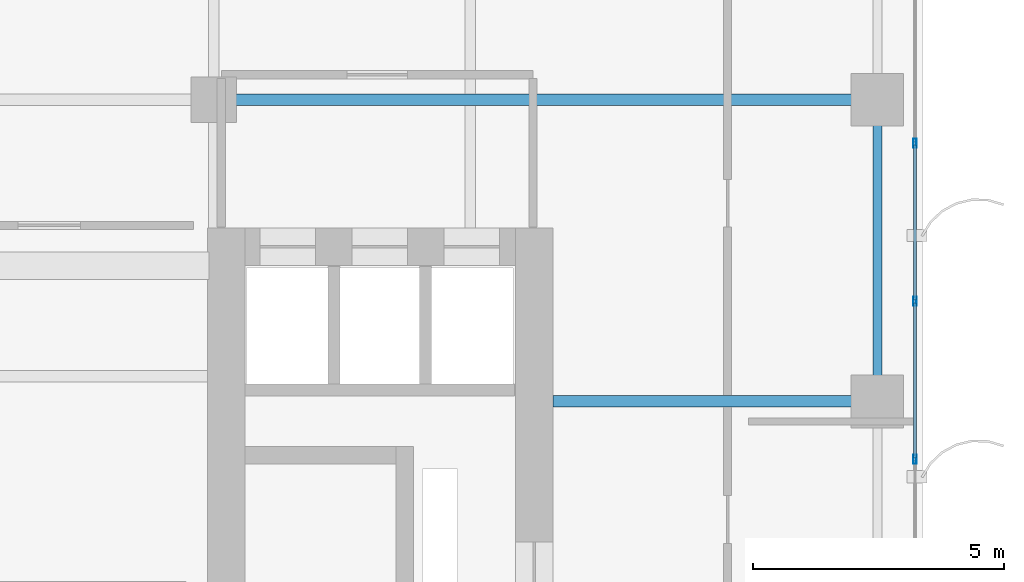
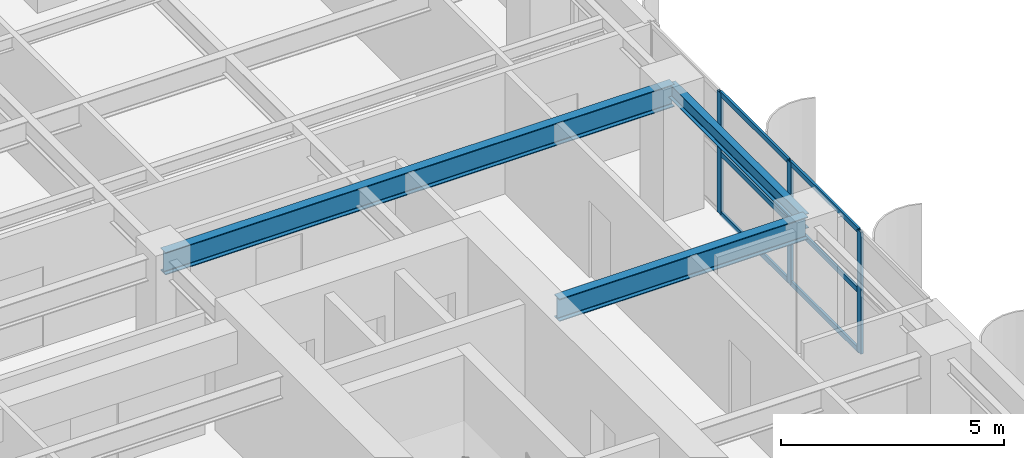
# One storey, part 7 of 25: 9 members, 3 beams, 1 element without a shape of its own.
"""IFC4 building model written with IfcOpenShell, lengths in metres."""

from ifc_helpers import new_model, si_unit, direction, frame, origin, origin_2d, place, context, subcontext, project, spatial, hollow_rectangle, i_section, extrude, source, transform, mapped, material, layer, layer_set, material_profile, profile_set, type_object, element, aggregate, save


model = new_model("IFC4")

# Units and contexts
model_context = context("Model", 3, precision=1e-05, world=origin(), true_north=direction((0.0, 1.0)))
body_context = subcontext(model_context, "Body", "Model", "MODEL_VIEW")
ifc_project = project(units=[si_unit("LENGTHUNIT", "METRE"), si_unit("AREAUNIT", "SQUARE_METRE"), si_unit("VOLUMEUNIT", "CUBIC_METRE"), si_unit("PLANEANGLEUNIT", "RADIAN"), si_unit("MASSUNIT", "GRAM", prefix="KILO")], contexts=[model_context])

# Site, building, storey
site_placement = place(None, origin())
site = spatial("IfcSite", under=ifc_project, at=site_placement, CompositionType="ELEMENT")
building_placement = place(site_placement, origin())
building = spatial("IfcBuilding", under=site, at=building_placement, Name="Khoralis Quay Care Tower", CompositionType="ELEMENT")
storey_placement = place(building_placement, frame((0.0, 0.0, 134.10009765625)))
storey = spatial("IfcBuildingStorey", under=building, at=storey_placement, Name="L35", CompositionType="ELEMENT", Elevation=134.10009765625)

# Beams
ifc_material_1 = material(Name="Steel S355", Category="steel")
ifc_material_profile_1 = material_profile(ifc_material_1, i_section(OverallWidth=0.179931640625, OverallDepth=0.39990234375, WebThickness=0.008544921875, FlangeThickness=0.013427734375, FilletRadius=0.02099609375, at=origin_2d()), Name="Steel S355")
ifc_profile_set_1 = profile_set([ifc_material_profile_1], Name="Steel S355")
beam_type_1 = type_object("IfcBeamType", Name="BM-IPE400", PredefinedType="SPANDREL", material=ifc_profile_set_1)
shared_shape_1 = source(origin(), body_context, "Body", "SweptSolid", [
    extrude(i_section(OverallWidth=0.179931640625, OverallDepth=0.39990234375, WebThickness=0.008544921875, FlangeThickness=0.013427734375, FilletRadius=0.02099609375, at=origin_2d()), origin(), (0.0, 0.0, 1.0), 6.0),
])
beam_1_placement = place(storey_placement, frame((44.10009765625, 24.0, 3.139892578125), z_axis=(0.0, 1.0, 0.0), x_axis=(-1.0, 0.0, 0.0)))
element("IfcBeam", 1, at=beam_1_placement, inside=storey, type_object=beam_type_1, Name="BM-TSP-L35-19", PredefinedType="SPANDREL", context=body_context, shape_type="MappedRepresentation", body=[
    mapped(shared_shape_1, transform((0.0, 0.0, 0.0), scale=1.0)),
])
ifc_material_profile_2 = material_profile(ifc_material_1, i_section(OverallWidth=0.22998046875, OverallDepth=0.616943359375, WebThickness=0.01318359375, FlangeThickness=0.022216796875, FilletRadius=0.01806640625, at=origin_2d()), Name="Steel S355")
ifc_profile_set_2 = profile_set([ifc_material_profile_2], Name="Steel S355")
beam_type_2 = type_object("IfcBeamType", Name="BM-W610X140", PredefinedType="BEAM", material=ifc_profile_set_2)
shared_shape_2 = source(origin(), body_context, "Body", "SweptSolid", [
    extrude(i_section(OverallWidth=0.22998046875, OverallDepth=0.616943359375, WebThickness=0.01318359375, FlangeThickness=0.022216796875, FilletRadius=0.01806640625, at=origin_2d()), origin(), (0.0, 0.0, 1.0), 13.2001953125),
])
beam_2_placement = place(storey_placement, frame((30.89990234375, 30.0, 3.031494140625), z_axis=(1.0, 0.0, 0.0), x_axis=(0.0, 1.0, 0.0)))
element("IfcBeam", 2, at=beam_2_placement, inside=storey, type_object=beam_type_2, Name="BM-TGXE-L35-300", PredefinedType="BEAM", context=body_context, shape_type="MappedRepresentation", body=[
    mapped(shared_shape_2, transform((0.0, 0.0, 0.0), scale=1.0)),
])
shared_shape_3 = source(origin(), body_context, "Body", "SweptSolid", [
    extrude(i_section(OverallWidth=0.22998046875, OverallDepth=0.616943359375, WebThickness=0.01318359375, FlangeThickness=0.022216796875, FilletRadius=0.01806640625, at=origin_2d()), origin(), (0.0, 0.0, 1.0), 6.4521484375),
])
beam_3_placement = place(storey_placement, frame((37.64794921875, 24.0, 3.031494140625), z_axis=(1.0, 0.0, 0.0), x_axis=(0.0, 1.0, 0.0)))
element("IfcBeam", 3, at=beam_3_placement, inside=storey, type_object=beam_type_2, Name="BM-TGXE-L35-240", PredefinedType="BEAM", context=body_context, shape_type="MappedRepresentation", body=[
    mapped(shared_shape_3, transform((0.0, 0.0, 0.0), scale=1.0)),
])

# Curtain wall, members
ifc_material_2 = material(Name="Pale anodised aluminium", Category="aluminium")
ifc_layer = layer(ifc_material_2, 0.169921875)
ifc_layer_set = layer_set([ifc_layer], Name="Pale anodised aluminium")
curtain_wall_type = type_object("IfcCurtainWallType", Name="CW-SYS-Z2", PredefinedType="NOTDEFINED", material=ifc_layer_set)
curtain_wall_placement = place(storey_placement, origin())
curtain_wall = element("IfcCurtainWall", 4, at=curtain_wall_placement, inside=storey, type_object=curtain_wall_type, Name="L35 Unitised Curtain Wall CW-L35-P1-E5", PredefinedType="NOTDEFINED")
ifc_material_profile_3 = material_profile(ifc_material_2, hollow_rectangle(XDim=0.06005859375, YDim=0.139892578125, WallThickness=0.00390625, at=origin_2d()), Name="Pale anodised aluminium")
ifc_profile_set_3 = profile_set([ifc_material_profile_3], Name="Pale anodised aluminium")
member_type_1 = type_object("IfcMemberType", Name="CW-TRN-140", PredefinedType="USERDEFINED", material=ifc_profile_set_3)
shared_shape_4 = source(origin(), body_context, "Body", "SweptSolid", [
    extrude(hollow_rectangle(XDim=0.06005859375, YDim=0.139892578125, WallThickness=0.00390625, at=origin_2d()), origin(), (0.0, 0.0, 1.0), 3.0849609375),
])
member_1_placement = place(storey_placement, frame((44.85009765625, 22.875, 0.02978515625), z_axis=(0.0, 1.0, 0.0), x_axis=(-1.0, 0.0, 0.0)))
member_1 = element("IfcMember", 5, at=member_1_placement, type_object=member_type_1, Name="CW2 transom 2.1", ObjectType="TRANSOM", PredefinedType="USERDEFINED", context=body_context, shape_type="MappedRepresentation", body=[
    mapped(shared_shape_4, transform((0.0, 0.0, 0.0), scale=1.0)),
])
member_2_placement = place(storey_placement, frame((44.85009765625, 22.875, 1.669921875), z_axis=(0.0, 1.0, 0.0), x_axis=(-1.0, 0.0, 0.0)))
member_2 = element("IfcMember", 6, at=member_2_placement, type_object=member_type_1, Name="CW2 transom 2.2", ObjectType="TRANSOM", PredefinedType="USERDEFINED", context=body_context, shape_type="MappedRepresentation", body=[
    mapped(shared_shape_4, transform((0.0, 0.0, 0.0), scale=1.0)),
])
member_3_placement = place(storey_placement, frame((44.85009765625, 22.875, 3.309814453125), z_axis=(0.0, 1.0, 0.0), x_axis=(-1.0, 0.0, 0.0)))
member_3 = element("IfcMember", 7, at=member_3_placement, type_object=member_type_1, Name="CW2 transom 2.3", ObjectType="TRANSOM", PredefinedType="USERDEFINED", context=body_context, shape_type="MappedRepresentation", body=[
    mapped(shared_shape_4, transform((0.0, 0.0, 0.0), scale=1.0)),
])
member_4_placement = place(storey_placement, frame((44.85009765625, 26.02001953125, 0.02978515625), z_axis=(0.0, 1.0, 0.0), x_axis=(-1.0, 0.0, 0.0)))
member_4 = element("IfcMember", 8, at=member_4_placement, type_object=member_type_1, Name="CW2 transom 3.1", ObjectType="TRANSOM", PredefinedType="USERDEFINED", context=body_context, shape_type="MappedRepresentation", body=[
    mapped(shared_shape_4, transform((0.0, 0.0, 0.0), scale=1.0)),
])
member_5_placement = place(storey_placement, frame((44.85009765625, 26.02001953125, 1.669921875), z_axis=(0.0, 1.0, 0.0), x_axis=(-1.0, 0.0, 0.0)))
member_5 = element("IfcMember", 9, at=member_5_placement, type_object=member_type_1, Name="CW2 transom 3.2", ObjectType="TRANSOM", PredefinedType="USERDEFINED", context=body_context, shape_type="MappedRepresentation", body=[
    mapped(shared_shape_4, transform((0.0, 0.0, 0.0), scale=1.0)),
])
member_6_placement = place(storey_placement, frame((44.85009765625, 26.02001953125, 3.309814453125), z_axis=(0.0, 1.0, 0.0), x_axis=(-1.0, 0.0, 0.0)))
member_6 = element("IfcMember", 10, at=member_6_placement, type_object=member_type_1, Name="CW2 transom 3.3", ObjectType="TRANSOM", PredefinedType="USERDEFINED", context=body_context, shape_type="MappedRepresentation", body=[
    mapped(shared_shape_4, transform((0.0, 0.0, 0.0), scale=1.0)),
])
ifc_material_profile_4 = material_profile(ifc_material_2, hollow_rectangle(XDim=0.06494140625, YDim=0.179931640625, WallThickness=0.00390625, at=origin_2d()), Name="Pale anodised aluminium")
ifc_profile_set_4 = profile_set([ifc_material_profile_4], Name="Pale anodised aluminium")
member_type_2 = type_object("IfcMemberType", Name="CW-MUL-180", PredefinedType="MULLION", material=ifc_profile_set_4)
shared_shape_5 = source(origin(), body_context, "Body", "SweptSolid", [
    extrude(hollow_rectangle(XDim=0.06494140625, YDim=0.179931640625, WallThickness=0.00390625, at=origin_2d()), origin(), (0.0, 0.0, 1.0), 3.33984375),
])
member_7_placement = place(storey_placement, frame((44.85009765625, 22.844970703125, 0.0), z_axis=(0.0, 0.0, 1.0), x_axis=(-1.0, 0.0, 0.0)))
member_7 = element("IfcMember", 11, at=member_7_placement, type_object=member_type_2, Name="CW2 mullion 2", PredefinedType="MULLION", context=body_context, shape_type="MappedRepresentation", body=[
    mapped(shared_shape_5, transform((0.0, 0.0, 0.0), scale=1.0)),
])
member_8_placement = place(storey_placement, frame((44.85009765625, 25.989990234375, 0.0), z_axis=(0.0, 0.0, 1.0), x_axis=(-1.0, 0.0, 0.0)))
member_8 = element("IfcMember", 12, at=member_8_placement, type_object=member_type_2, Name="CW2 mullion 3", PredefinedType="MULLION", context=body_context, shape_type="MappedRepresentation", body=[
    mapped(shared_shape_5, transform((0.0, 0.0, 0.0), scale=1.0)),
])
member_9_placement = place(storey_placement, frame((44.85009765625, 29.135009765625, 0.0), z_axis=(0.0, 0.0, 1.0), x_axis=(-1.0, 0.0, 0.0)))
member_9 = element("IfcMember", 13, at=member_9_placement, type_object=member_type_2, Name="CW2 mullion 4", PredefinedType="MULLION", context=body_context, shape_type="MappedRepresentation", body=[
    mapped(shared_shape_5, transform((0.0, 0.0, 0.0), scale=1.0)),
])
aggregate(curtain_wall, [member_7, member_8, member_9, member_1, member_2, member_3, member_4, member_5, member_6])

save(model, "model.ifc")
